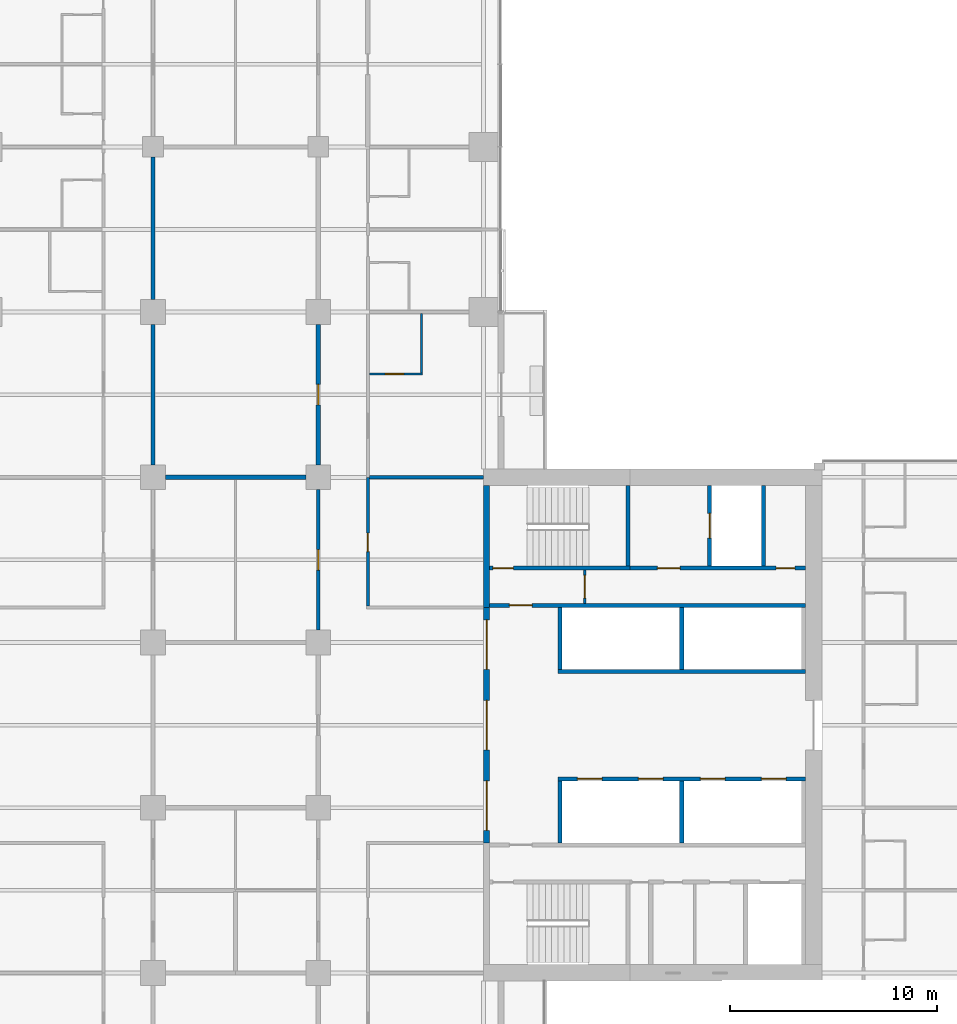
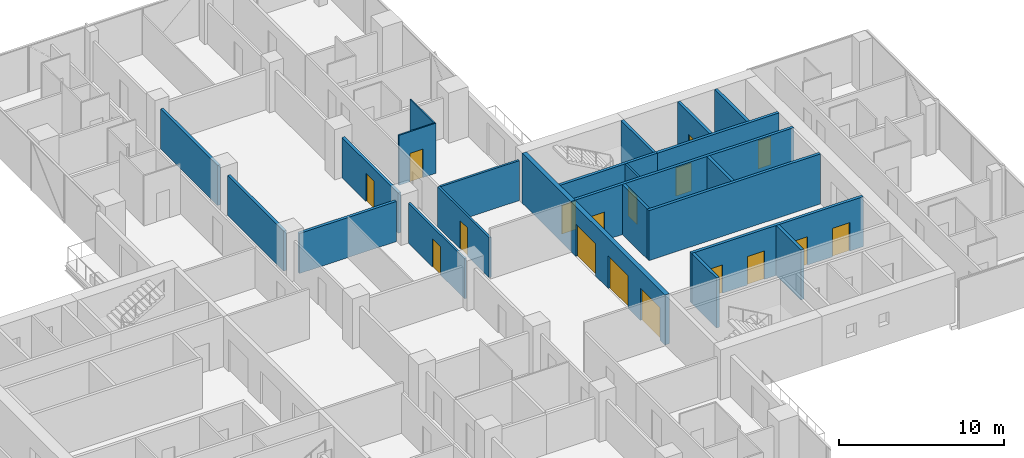
# One storey, part 20 of 27: 24 walls, 17 doors, 17 openings.
"""IFC4 building model written with IfcOpenShell, lengths in metres."""

import ifcopenshell
import ifcopenshell.guid

model = None  # the IFC model being written
_history = None  # IfcOwnerHistory: only IFC2X3 demands one
_inside = {}  # id of a spatial element -> (the spatial element, [elements in it])
_under = {}  # id of a project, library or spatial element -> (it, [spatial elements below it])
_declared = {}  # id of a project -> (the project, [libraries it declares])
_typed = {}  # id of a type object -> (the type object, [elements of that type])
_made_of = {}  # id of a material, layer set ... -> (it, [elements and type objects made of it])


def new_model(schema):
    """Start an empty IFC model of exactly this schema.

    Asked for "IFC4X3", IfcOpenShell would pick the latest addendum, in which some entities
    have other attributes; the version numbers below select the first issue.
    IFC2X3 requires an IfcOwnerHistory on every rooted entity: one is made here for all.
    """
    global model, _history
    if schema == "IFC4X3":
        model = ifcopenshell.file(schema_version=(4, 3, 0, 0))
    else:
        model = ifcopenshell.file(schema=schema)
    _inside.clear()
    _under.clear()
    _declared.clear()
    _typed.clear()
    _made_of.clear()
    _history = None
    if model.schema == "IFC2X3":
        org = make("IfcOrganization", Name="unknown")
        user = make(
            "IfcPersonAndOrganization",
            ThePerson=make("IfcPerson", FamilyName="unknown"),
            TheOrganization=org,
        )
        app = make(
            "IfcApplication",
            ApplicationDeveloper=org,
            Version="unknown",
            ApplicationFullName="unknown",
            ApplicationIdentifier="unknown",
        )
        _history = make(
            "IfcOwnerHistory",
            OwningUser=user,
            OwningApplication=app,
            ChangeAction="ADDED",
            CreationDate=0,
        )
    return model


def make(cls, **values):
    """One entity of the class cls with the attributes given. An attribute that is None is left unset."""
    return model.create_entity(
        cls, **{name: value for name, value in values.items() if value is not None}
    )


def rooted(cls, **values):
    """An entity with a GlobalId (a new one), such as an element, a storey or a relation."""
    return make(cls, GlobalId=ifcopenshell.guid.new(), OwnerHistory=_history, **values)


def si_unit(unit_type, name, prefix=None):
    """IfcSIUnit, for example si_unit("LENGTHUNIT", "METRE", prefix="MILLI")."""
    return make("IfcSIUnit", UnitType=unit_type, Prefix=prefix, Name=name)


def assignment(units):
    """IfcUnitAssignment: the units of a project."""
    return None if units is None else make("IfcUnitAssignment", Units=units)


def point(xyz):
    """IfcCartesianPoint."""
    return None if xyz is None else make("IfcCartesianPoint", Coordinates=xyz)


def direction(xyz):
    """IfcDirection."""
    return None if xyz is None else make("IfcDirection", DirectionRatios=xyz)


def frame(location, z_axis=None, x_axis=None):
    """IfcAxis2Placement3D, a coordinate frame: its origin and axes. An axis left out is left unset."""
    return make(
        "IfcAxis2Placement3D",
        Location=point(location),
        Axis=direction(z_axis),
        RefDirection=direction(x_axis),
    )


def frame_2d(location, x_axis=None):
    """IfcAxis2Placement2D, a coordinate frame in the plane: its origin and x axis."""
    return make(
        "IfcAxis2Placement2D", Location=point(location), RefDirection=direction(x_axis)
    )


def origin():
    """The frame at (0, 0, 0) with its axes left unset."""
    return frame((0.0, 0.0, 0.0))


def place(relative_to, where):
    """IfcLocalPlacement: puts the frame where relative to a parent placement (None: the world)."""
    return make(
        "IfcLocalPlacement", PlacementRelTo=relative_to, RelativePlacement=where
    )


def context(
    kind, dimensions, precision=None, world=None, true_north=None, identifier=None
):
    """IfcGeometricRepresentationContext, for example the 3D "Model" context."""
    return make(
        "IfcGeometricRepresentationContext",
        ContextIdentifier=identifier,
        ContextType=kind,
        CoordinateSpaceDimension=dimensions,
        Precision=precision,
        WorldCoordinateSystem=world,
        TrueNorth=true_north,
    )


def subcontext(parent, identifier, kind, view, scale=None):
    """IfcGeometricRepresentationSubContext, for example "Body" below "Model"."""
    return make(
        "IfcGeometricRepresentationSubContext",
        ContextIdentifier=identifier,
        ContextType=kind,
        ParentContext=parent,
        TargetScale=scale,
        TargetView=view,
    )


def project(units=None, contexts=None):
    """IfcProject with its units and contexts."""
    return rooted(
        "IfcProject",
        Name="project",
        RepresentationContexts=contexts,
        UnitsInContext=assignment(units),
    )


def spatial(cls, under=None, at=None, **own):
    """A site, building, storey or space (cls), placed at a placement, below another one or the project."""
    s = rooted(cls, ObjectPlacement=at, **own)
    if under is not None:
        _under.setdefault(under.id(), (under, []))[1].append(s)
    return s


def profile(cls, at=None, kind="AREA", **sizes):
    """A parametric profile (cls). Its sizes go by their IFC names, for example OverallWidth=200.0."""
    return make(cls, ProfileType=kind, Position=at, **sizes)


def rectangle(**sizes):
    """IfcRectangleProfileDef."""
    return profile("IfcRectangleProfileDef", **sizes)


def extrude(swept, where, along, depth):
    """IfcExtrudedAreaSolid: the profile swept, set in the frame where, extruded along a direction by depth."""
    return make(
        "IfcExtrudedAreaSolid",
        SweptArea=swept,
        Position=where,
        ExtrudedDirection=direction(along),
        Depth=depth,
    )


def shape(context_of_items, identifier, shape_type, items):
    """IfcShapeRepresentation: the items that make up one representation, for example the "Body"."""
    return make(
        "IfcShapeRepresentation",
        ContextOfItems=context_of_items,
        RepresentationIdentifier=identifier,
        RepresentationType=shape_type,
        Items=items,
    )


def material(Name=None, Category=None):
    """IfcMaterial."""
    return make("IfcMaterial", Name=Name, Category=Category)


def layer(
    of_material, thickness, ventilated=None, Name=None, Category=None, Priority=None
):
    """IfcMaterialLayer: one layer of a wall or slab, of a material (None: an air gap)."""
    return make(
        "IfcMaterialLayer",
        Material=of_material,
        LayerThickness=thickness,
        IsVentilated=ventilated,
        Name=Name,
        Category=Category,
        Priority=Priority,
    )


def layer_set(layers, Name=None):
    """IfcMaterialLayerSet."""
    return make("IfcMaterialLayerSet", MaterialLayers=layers, LayerSetName=Name)


def made_of(thing, what):
    """Note that an element or type object is made of a material, layer set ...; save() writes the relation."""
    if what is not None:
        _made_of.setdefault(what.id(), (what, []))[1].append(thing)
    return thing


def type_object(cls, material=None, **own):
    """A type object (cls), such as IfcWallType, which elements share."""
    return made_of(rooted(cls, **own), material)


def element(
    cls,
    number,
    at=None,
    inside=None,
    cuts=None,
    type_object=None,
    material=None,
    context=None,
    identifier="Body",
    shape_type=None,
    held_by="IfcProductDefinitionShape",
    body=None,
    shapes=None,
    **own,
):
    """One element of the class cls, such as IfcWall. Its Tag is "e" and its number.

    at: its placement. inside: the storey or other place that contains it. cuts: it is an
    opening in that element (IfcRelVoidsElement). A single representation is given by context,
    identifier, shape_type and body (its items); several are given by shapes. held_by: the class
    of the entity that holds the representations. save() writes the other relations.
    """
    e = rooted(cls, Tag="e%d" % number, ObjectPlacement=at, **own)
    if body is not None:
        shapes = [shape(context, identifier, shape_type, body)]
    if shapes is not None:
        e.Representation = make(held_by, Representations=shapes)
    if inside is not None:
        _inside.setdefault(inside.id(), (inside, []))[1].append(e)
    if cuts is not None:
        rooted(
            "IfcRelVoidsElement", RelatingBuildingElement=cuts, RelatedOpeningElement=e
        )
    if type_object is not None:
        _typed.setdefault(type_object.id(), (type_object, []))[1].append(e)
    return made_of(e, material)


def fill(opening, filler):
    """IfcRelFillsElement: the door or window that sits in an opening."""
    return rooted(
        "IfcRelFillsElement",
        RelatingOpeningElement=opening,
        RelatedBuildingElement=filler,
    )


def aggregate(whole, parts):
    """IfcRelAggregates: a whole, such as a stair, and the parts it consists of."""
    return rooted("IfcRelAggregates", RelatingObject=whole, RelatedObjects=parts)


def save(model, path):
    """Write the relations noted so far, then the file.

    IfcRelAggregates (storeys below a building ...), IfcRelContainedInSpatialStructure (elements
    in a storey), IfcRelDefinesByType, IfcRelAssociatesMaterial and IfcRelDeclares: one each for
    every whole, place, type object, material and project.
    """
    for whole, parts in _under.values():
        aggregate(whole, parts)
    for where, things in _inside.values():
        rooted(
            "IfcRelContainedInSpatialStructure",
            RelatedElements=things,
            RelatingStructure=where,
        )
    for kind, things in _typed.values():
        rooted("IfcRelDefinesByType", RelatedObjects=things, RelatingType=kind)
    for what, things in _made_of.values():
        rooted("IfcRelAssociatesMaterial", RelatedObjects=things, RelatingMaterial=what)
    for by, libraries in _declared.values():
        rooted("IfcRelDeclares", RelatingContext=by, RelatedDefinitions=libraries)
    model.write(path)


model = new_model("IFC4")

# Units and contexts
model_context = context("Model", 3, precision=1e-05, world=origin(), true_north=direction((0.0, 1.0)))
body_context = subcontext(model_context, "Body", "Model", "MODEL_VIEW")
ifc_project = project(units=[si_unit("LENGTHUNIT", "METRE"), si_unit("AREAUNIT", "SQUARE_METRE"), si_unit("VOLUMEUNIT", "CUBIC_METRE"), si_unit("PLANEANGLEUNIT", "RADIAN"), si_unit("MASSUNIT", "GRAM", prefix="KILO")], contexts=[model_context])

# Site, building, storey
site_placement = place(None, origin())
site = spatial("IfcSite", under=ifc_project, at=site_placement, CompositionType="ELEMENT")
building_placement = place(site_placement, origin())
building = spatial("IfcBuilding", under=site, at=building_placement, Name="Crosswind Convention Tower", CompositionType="ELEMENT")
storey_placement = place(building_placement, frame((0.0, 0.0, 64.60009765625)))
storey = spatial("IfcBuildingStorey", under=building, at=storey_placement, Name="L10", CompositionType="ELEMENT", Elevation=64.60009765625)

# Wall, opening, door
ifc_material_1 = material(Name="Plasterboard partition", Category="gypsum")
ifc_layer_1 = layer(ifc_material_1, 0.14990234375)
ifc_layer_set_1 = layer_set([ifc_layer_1], Name="CORRIDOR WALL 150")
wall_type_1 = type_object("IfcWallType", Name="CORRIDOR WALL 150", PredefinedType="PARTITIONING", material=ifc_layer_set_1)
wall_1_placement = place(storey_placement, frame((129.0, 104.60009765625, 0.0), z_axis=(0.0, 0.0, 1.0), x_axis=(0.0, 1.0, 0.0)))
wall_1 = element("IfcWall", 1, at=wall_1_placement, inside=storey, type_object=wall_type_1, Name="Corridor Wall 110", PredefinedType="PARTITIONING", context=body_context, shape_type="SweptSolid", body=[
    extrude(rectangle(XDim=6.7998046875, YDim=0.14990234375, at=frame_2d((3.39990234375, 0.0))), origin(), (0.0, 0.0, 1.0), 2.959716796875),
])
opening_1_placement = place(wall_1_placement, frame((2.89990234375, 0.0, 0.0)))
opening_1 = element("IfcOpeningElement", 2, at=opening_1_placement, cuts=wall_1, Name="Opening 10.066", PredefinedType="OPENING", context=body_context, shape_type="SweptSolid", body=[
    extrude(rectangle(XDim=1.0, YDim=2.10009765625, at=frame_2d((0.5, 1.050048828125))), frame((0.0, 0.0849609375, 0.0), z_axis=(0.0, -1.0, 0.0), x_axis=(1.0, 0.0, 0.0)), (0.0, 0.0, 1.0), 0.169921875),
])
ifc_material_2 = material(Name="Timber fire door", Category="wood")
door_type_1 = type_object("IfcDoorType", Name="SERVICE ROOM DOOR 1000X2100", OperationType="NOTDEFINED", PredefinedType="DOOR", material=ifc_material_2)
door_1_placement = place(opening_1_placement, origin())
door_1 = element("IfcDoor", 3, at=door_1_placement, inside=storey, type_object=door_type_1, Name="Door 10.066", ObjectType="D3", OperationType="SINGLE_SWING_RIGHT", OverallHeight=2.10009765625, OverallWidth=1.0, PredefinedType="DOOR", context=body_context, shape_type="SweptSolid", body=[
    extrude(rectangle(XDim=1.0, YDim=2.10009765625, at=frame_2d((0.5, 1.050048828125))), frame((0.0, 0.02490234375, 0.0), z_axis=(0.0, -1.0, 0.0), x_axis=(1.0, 0.0, 0.0)), (0.0, 0.0, 1.0), 0.050048828125),
])
fill(opening_1, door_1)

wall_2_placement = place(storey_placement, frame((131.39990234375, 105.77490234375, 0.0), z_axis=(0.0, 0.0, 1.0), x_axis=(0.0, 1.0, 0.0)))
wall_2 = element("IfcWall", 4, at=wall_2_placement, inside=storey, type_object=wall_type_1, Name="Corridor Wall 117", PredefinedType="PARTITIONING", context=body_context, shape_type="SweptSolid", body=[
    extrude(rectangle(XDim=6.22509765625, YDim=0.14990234375, at=frame_2d((3.112548828125, 0.0))), origin(), (0.0, 0.0, 1.0), 2.956298828125),
])
opening_2_placement = place(wall_2_placement, frame((2.625, 0.0, 0.0)))
opening_2 = element("IfcOpeningElement", 5, at=opening_2_placement, cuts=wall_2, Name="Opening 10.001", PredefinedType="OPENING", context=body_context, shape_type="SweptSolid", body=[
    extrude(rectangle(XDim=0.89990234375, YDim=2.10009765625, at=frame_2d((0.449951171875, 1.050048828125))), frame((0.0, 0.0849609375, 0.0), z_axis=(0.0, -1.0, 0.0), x_axis=(1.0, 0.0, 0.0)), (0.0, 0.0, 1.0), 0.169921875),
])
ifc_material_3 = material(Name="Timber door", Category="wood")
door_type_2 = type_object("IfcDoorType", Name="WC DOOR 900X2100", OperationType="NOTDEFINED", PredefinedType="DOOR", material=ifc_material_3)
door_2_placement = place(opening_2_placement, frame((0.89990234375, 0.0, 0.0), z_axis=(0.0, 0.0, 1.0), x_axis=(-1.0, 0.0, 0.0)))
door_2 = element("IfcDoor", 6, at=door_2_placement, inside=storey, type_object=door_type_2, Name="Door 10.001", ObjectType="D7", OperationType="SINGLE_SWING_LEFT", OverallHeight=2.10009765625, OverallWidth=0.89990234375, PredefinedType="DOOR", context=body_context, shape_type="SweptSolid", body=[
    extrude(rectangle(XDim=0.89990234375, YDim=2.10009765625, at=frame_2d((0.449951171875, 1.050048828125))), frame((0.0, 0.02490234375, 0.0), z_axis=(0.0, -1.0, 0.0), x_axis=(1.0, 0.0, 0.0)), (0.0, 0.0, 1.0), 0.050048828125),
])
fill(opening_2, door_2)

# Wall, openings, doors
ifc_material_4 = material(Name="Concrete C50/60", Category="concrete")
ifc_layer_2 = layer(ifc_material_4, 0.300048828125)
ifc_layer_set_2 = layer_set([ifc_layer_2], Name="Concrete C50/60")
wall_type_2 = type_object("IfcWallType", Name="Concrete inner core wall 300", PredefinedType="SHEAR", material=ifc_layer_set_2)
wall_3_placement = place(storey_placement, frame((137.14990234375, 94.300048828125, 0.0), z_axis=(0.0, 0.0, 1.0), x_axis=(0.0, 1.0, 0.0)))
wall_3 = element("IfcWall", 7, at=wall_3_placement, inside=storey, type_object=wall_type_2, Name="Wall SCR E L10", PredefinedType="SHEAR", context=body_context, shape_type="SweptSolid", body=[
    extrude(rectangle(XDim=11.39990234375, YDim=0.300048828125, at=frame_2d((5.699951171875, 0.0))), origin(), (0.0, 0.0, 1.0), 3.699951171875),
])
opening_3_placement = place(wall_3_placement, frame((0.60009765625, 0.0, 0.0)))
opening_3 = element("IfcOpeningElement", 8, at=opening_3_placement, cuts=wall_3, Name="Opening D100", PredefinedType="OPENING", context=body_context, shape_type="SweptSolid", body=[
    extrude(rectangle(XDim=2.39990234375, YDim=2.39990234375, at=frame_2d((1.199951171875, 1.199951171875))), frame((0.0, 0.159912109375, 0.0), z_axis=(0.0, -1.0, 0.0), x_axis=(1.0, 0.0, 0.0)), (0.0, 0.0, 1.0), 0.320068359375),
])
opening_4_placement = place(wall_3_placement, frame((4.5, 0.0, 0.0)))
opening_4 = element("IfcOpeningElement", 9, at=opening_4_placement, cuts=wall_3, Name="Opening D100", PredefinedType="OPENING", context=body_context, shape_type="SweptSolid", body=[
    extrude(rectangle(XDim=2.39990234375, YDim=2.39990234375, at=frame_2d((1.199951171875, 1.199951171875))), frame((0.0, 0.159912109375, 0.0), z_axis=(0.0, -1.0, 0.0), x_axis=(1.0, 0.0, 0.0)), (0.0, 0.0, 1.0), 0.320068359375),
])
opening_5_placement = place(wall_3_placement, frame((8.39990234375, 0.0, 0.0)))
opening_5 = element("IfcOpeningElement", 10, at=opening_5_placement, cuts=wall_3, Name="Opening D100", PredefinedType="OPENING", context=body_context, shape_type="SweptSolid", body=[
    extrude(rectangle(XDim=2.39990234375, YDim=2.39990234375, at=frame_2d((1.199951171875, 1.199951171875))), frame((0.0, 0.159912109375, 0.0), z_axis=(0.0, -1.0, 0.0), x_axis=(1.0, 0.0, 0.0)), (0.0, 0.0, 1.0), 0.320068359375),
])
ifc_material_5 = material(Name="Steel fire door with glazed vision panels", Category="steel")
door_type_3 = type_object("IfcDoorType", Name="Fire-rated double door 2400x2400", OperationType="DOUBLE_DOOR_SINGLE_SWING", PredefinedType="DOOR", material=ifc_material_5)
door_3_placement = place(opening_3_placement, origin())
door_3 = element("IfcDoor", 11, at=door_3_placement, inside=storey, type_object=door_type_3, Name="Lobby door 1 L10", ObjectType="D100", OperationType="DOUBLE_DOOR_SINGLE_SWING", OverallHeight=2.39990234375, OverallWidth=2.39990234375, PredefinedType="DOOR", context=body_context, shape_type="SweptSolid", body=[
    extrude(rectangle(XDim=2.39990234375, YDim=2.39990234375, at=frame_2d((1.199951171875, 1.199951171875))), frame((0.0, 0.02490234375, 0.0), z_axis=(0.0, -1.0, 0.0), x_axis=(1.0, 0.0, 0.0)), (0.0, 0.0, 1.0), 0.050048828125),
])
fill(opening_3, door_3)
door_4_placement = place(opening_4_placement, origin())
door_4 = element("IfcDoor", 12, at=door_4_placement, inside=storey, type_object=door_type_3, Name="Lobby door 2 L10", ObjectType="D100", OperationType="DOUBLE_DOOR_SINGLE_SWING", OverallHeight=2.39990234375, OverallWidth=2.39990234375, PredefinedType="DOOR", context=body_context, shape_type="SweptSolid", body=[
    extrude(rectangle(XDim=2.39990234375, YDim=2.39990234375, at=frame_2d((1.199951171875, 1.199951171875))), frame((0.0, 0.02490234375, 0.0), z_axis=(0.0, -1.0, 0.0), x_axis=(1.0, 0.0, 0.0)), (0.0, 0.0, 1.0), 0.050048828125),
])
fill(opening_4, door_4)
door_5_placement = place(opening_5_placement, origin())
door_5 = element("IfcDoor", 13, at=door_5_placement, inside=storey, type_object=door_type_3, Name="Lobby door 3 L10", ObjectType="D100", OperationType="DOUBLE_DOOR_SINGLE_SWING", OverallHeight=2.39990234375, OverallWidth=2.39990234375, PredefinedType="DOOR", context=body_context, shape_type="SweptSolid", body=[
    extrude(rectangle(XDim=2.39990234375, YDim=2.39990234375, at=frame_2d((1.199951171875, 1.199951171875))), frame((0.0, 0.02490234375, 0.0), z_axis=(0.0, -1.0, 0.0), x_axis=(1.0, 0.0, 0.0)), (0.0, 0.0, 1.0), 0.050048828125),
])
fill(opening_5, door_5)

# Walls
wall_4_placement = place(storey_placement, frame((137.14990234375, 105.699951171875, 0.0), z_axis=(0.0, 0.0, 1.0), x_axis=(0.0, 1.0, 0.0)))
element("IfcWall", 14, at=wall_4_placement, inside=storey, type_object=wall_type_2, Name="Wall EP E L10", PredefinedType="SHEAR", context=body_context, shape_type="SweptSolid", body=[
    extrude(rectangle(XDim=5.900146484375, YDim=0.300048828125, at=frame_2d((2.9501953125, 0.0))), origin(), (0.0, 0.0, 1.0), 3.699951171875),
])
ifc_layer_3 = layer(ifc_material_4, 0.199951171875)
ifc_layer_set_3 = layer_set([ifc_layer_3], Name="Concrete C50/60")
wall_type_3 = type_object("IfcWallType", Name="Concrete shaft and stair wall 200", PredefinedType="SHEAR", material=ifc_layer_set_3)
for number, where, z_axis, x_axis, name in (
    (15, (140.699951171875, 102.699951171875, 0.0), (0.0, 0.0, 1.0), (0.0, 1.0, 0.0), "Wall RPEND E L10"),
    (16, (146.60009765625, 102.699951171875, 0.0), (0.0, 0.0, 1.0), (0.0, 1.0, 0.0), "Wall RPSEP E L10"),
):
    element("IfcWall", number, at=place(storey_placement, frame(where, z_axis=z_axis, x_axis=x_axis)), inside=storey, type_object=wall_type_3, Name=name, PredefinedType="SHEAR", context=body_context, shape_type="SweptSolid", body=[
        extrude(rectangle(XDim=3.0, YDim=0.199951171875, at=frame_2d((1.5, 0.0))), origin(), (0.0, 0.0, 1.0), 3.699951171875),
    ])
wall_5_placement = place(storey_placement, frame((140.60009765625, 102.60009765625, 0.0), z_axis=(0.0, 0.0, 1.0), x_axis=(1.0, 0.0, 0.0)))
element("IfcWall", 17, at=wall_5_placement, inside=storey, type_object=wall_type_3, Name="Wall RPFRONT E L10", PredefinedType="SHEAR", context=body_context, shape_type="SweptSolid", body=[
    extrude(rectangle(XDim=12.0, YDim=0.199951171875, at=frame_2d((6.0, 0.0))), origin(), (0.0, 0.0, 1.0), 3.699951171875),
])
for number, where, z_axis, x_axis, name in (
    (18, (140.699951171875, 94.300048828125, 0.0), (0.0, 0.0, 1.0), (0.0, 1.0, 0.0), "Wall RMEND E L10"),
    (19, (146.60009765625, 94.300048828125, 0.0), (0.0, 0.0, 1.0), (0.0, 1.0, 0.0), "Wall RMSEP E L10"),
):
    element("IfcWall", number, at=place(storey_placement, frame(where, z_axis=z_axis, x_axis=x_axis)), inside=storey, type_object=wall_type_3, Name=name, PredefinedType="SHEAR", context=body_context, shape_type="SweptSolid", body=[
        extrude(rectangle(XDim=3.0, YDim=0.199951171875, at=frame_2d((1.5, 0.0))), origin(), (0.0, 0.0, 1.0), 3.699951171875),
    ])

# Wall, openings, doors
wall_6_placement = place(storey_placement, frame((140.60009765625, 97.39990234375, 0.0), z_axis=(0.0, 0.0, 1.0), x_axis=(1.0, 0.0, 0.0)))
wall_6 = element("IfcWall", 20, at=wall_6_placement, inside=storey, type_object=wall_type_3, Name="Wall RMFRONT E L10", PredefinedType="SHEAR", context=body_context, shape_type="SweptSolid", body=[
    extrude(rectangle(XDim=12.0, YDim=0.199951171875, at=frame_2d((6.0, 0.0))), origin(), (0.0, 0.0, 1.0), 3.699951171875),
])
opening_6_placement = place(wall_6_placement, frame((0.949951171875, 0.0, 0.0)))
opening_6 = element("IfcOpeningElement", 21, at=opening_6_placement, cuts=wall_6, Name="Opening LD1", PredefinedType="OPENING", context=body_context, shape_type="SweptSolid", body=[
    extrude(rectangle(XDim=1.199951171875, YDim=2.10009765625, at=frame_2d((0.60009765625, 1.050048828125))), frame((0.0, 0.10986328125, 0.0), z_axis=(0.0, -1.0, 0.0), x_axis=(1.0, 0.0, 0.0)), (0.0, 0.0, 1.0), 0.219970703125),
])
opening_7_placement = place(wall_6_placement, frame((3.89990234375, 0.0, 0.0)))
opening_7 = element("IfcOpeningElement", 22, at=opening_7_placement, cuts=wall_6, Name="Opening LD1", PredefinedType="OPENING", context=body_context, shape_type="SweptSolid", body=[
    extrude(rectangle(XDim=1.199951171875, YDim=2.10009765625, at=frame_2d((0.60009765625, 1.050048828125))), frame((0.0, 0.10986328125, 0.0), z_axis=(0.0, -1.0, 0.0), x_axis=(1.0, 0.0, 0.0)), (0.0, 0.0, 1.0), 0.219970703125),
])
opening_8_placement = place(wall_6_placement, frame((6.89990234375, 0.0, 0.0)))
opening_8 = element("IfcOpeningElement", 23, at=opening_8_placement, cuts=wall_6, Name="Opening LD1", PredefinedType="OPENING", context=body_context, shape_type="SweptSolid", body=[
    extrude(rectangle(XDim=1.199951171875, YDim=2.10009765625, at=frame_2d((0.60009765625, 1.050048828125))), frame((0.0, 0.10986328125, 0.0), z_axis=(0.0, -1.0, 0.0), x_axis=(1.0, 0.0, 0.0)), (0.0, 0.0, 1.0), 0.219970703125),
])
opening_9_placement = place(wall_6_placement, frame((9.85009765625, 0.0, 0.0)))
opening_9 = element("IfcOpeningElement", 24, at=opening_9_placement, cuts=wall_6, Name="Opening LD1", PredefinedType="OPENING", context=body_context, shape_type="SweptSolid", body=[
    extrude(rectangle(XDim=1.199951171875, YDim=2.10009765625, at=frame_2d((0.60009765625, 1.050048828125))), frame((0.0, 0.10986328125, 0.0), z_axis=(0.0, -1.0, 0.0), x_axis=(1.0, 0.0, 0.0)), (0.0, 0.0, 1.0), 0.219970703125),
])
ifc_material_6 = material(Name="Stainless steel", Category="steel")
door_type_4 = type_object("IfcDoorType", Name="Lift landing door 1200x2100", OperationType="DOUBLE_DOOR_SLIDING", PredefinedType="DOOR", material=ifc_material_6)
door_6_placement = place(opening_6_placement, origin())
door_6 = element("IfcDoor", 25, at=door_6_placement, inside=storey, type_object=door_type_4, Name="Landing door H1 L10", ObjectType="LD1", OperationType="DOUBLE_DOOR_SLIDING", OverallHeight=2.10009765625, OverallWidth=1.199951171875, PredefinedType="DOOR", context=body_context, shape_type="SweptSolid", body=[
    extrude(rectangle(XDim=1.199951171875, YDim=2.10009765625, at=frame_2d((0.60009765625, 1.050048828125))), frame((0.0, 0.02490234375, 0.0), z_axis=(0.0, -1.0, 0.0), x_axis=(1.0, 0.0, 0.0)), (0.0, 0.0, 1.0), 0.050048828125),
])
fill(opening_6, door_6)
door_7_placement = place(opening_7_placement, origin())
door_7 = element("IfcDoor", 26, at=door_7_placement, inside=storey, type_object=door_type_4, Name="Landing door H2 L10", ObjectType="LD1", OperationType="DOUBLE_DOOR_SLIDING", OverallHeight=2.10009765625, OverallWidth=1.199951171875, PredefinedType="DOOR", context=body_context, shape_type="SweptSolid", body=[
    extrude(rectangle(XDim=1.199951171875, YDim=2.10009765625, at=frame_2d((0.60009765625, 1.050048828125))), frame((0.0, 0.02490234375, 0.0), z_axis=(0.0, -1.0, 0.0), x_axis=(1.0, 0.0, 0.0)), (0.0, 0.0, 1.0), 0.050048828125),
])
fill(opening_7, door_7)
door_8_placement = place(opening_8_placement, origin())
door_8 = element("IfcDoor", 27, at=door_8_placement, inside=storey, type_object=door_type_4, Name="Landing door H3 L10", ObjectType="LD1", OperationType="DOUBLE_DOOR_SLIDING", OverallHeight=2.10009765625, OverallWidth=1.199951171875, PredefinedType="DOOR", context=body_context, shape_type="SweptSolid", body=[
    extrude(rectangle(XDim=1.199951171875, YDim=2.10009765625, at=frame_2d((0.60009765625, 1.050048828125))), frame((0.0, 0.02490234375, 0.0), z_axis=(0.0, -1.0, 0.0), x_axis=(1.0, 0.0, 0.0)), (0.0, 0.0, 1.0), 0.050048828125),
])
fill(opening_8, door_8)
door_9_placement = place(opening_9_placement, origin())
door_9 = element("IfcDoor", 28, at=door_9_placement, inside=storey, type_object=door_type_4, Name="Landing door H4 L10", ObjectType="LD1", OperationType="DOUBLE_DOOR_SLIDING", OverallHeight=2.10009765625, OverallWidth=1.199951171875, PredefinedType="DOOR", context=body_context, shape_type="SweptSolid", body=[
    extrude(rectangle(XDim=1.199951171875, YDim=2.10009765625, at=frame_2d((0.60009765625, 1.050048828125))), frame((0.0, 0.02490234375, 0.0), z_axis=(0.0, -1.0, 0.0), x_axis=(1.0, 0.0, 0.0)), (0.0, 0.0, 1.0), 0.050048828125),
])
fill(opening_9, door_9)

# Wall, opening, door
wall_7_placement = place(storey_placement, frame((137.300048828125, 105.800048828125, 0.0), z_axis=(0.0, 0.0, 1.0), x_axis=(1.0, 0.0, 0.0)))
wall_7 = element("IfcWall", 29, at=wall_7_placement, inside=storey, type_object=wall_type_3, Name="Wall HP E L10", PredefinedType="SHEAR", context=body_context, shape_type="SweptSolid", body=[
    extrude(rectangle(XDim=15.300048828125, YDim=0.199951171875, at=frame_2d((7.64990234375, 0.0))), origin(), (0.0, 0.0, 1.0), 3.699951171875),
])
opening_10_placement = place(wall_7_placement, frame((0.949951171875, 0.0, 0.0)))
opening_10 = element("IfcOpeningElement", 30, at=opening_10_placement, cuts=wall_7, Name="Opening D104", PredefinedType="OPENING", context=body_context, shape_type="SweptSolid", body=[
    extrude(rectangle(XDim=1.10009765625, YDim=2.10009765625, at=frame_2d((0.550048828125, 1.050048828125))), frame((0.0, 0.10986328125, 0.0), z_axis=(0.0, -1.0, 0.0), x_axis=(1.0, 0.0, 0.0)), (0.0, 0.0, 1.0), 0.219970703125),
])
ifc_material_7 = material(Name="Steel fire door", Category="steel")
door_type_5 = type_object("IfcDoorType", Name="Fire-rated single door 1100x2100", OperationType="NOTDEFINED", PredefinedType="DOOR", material=ifc_material_7)
door_10_placement = place(opening_10_placement, origin())
door_10 = element("IfcDoor", 31, at=door_10_placement, inside=storey, type_object=door_type_5, Name="Corridor door L10", ObjectType="D104", OperationType="SINGLE_SWING_LEFT", OverallHeight=2.10009765625, OverallWidth=1.10009765625, PredefinedType="DOOR", context=body_context, shape_type="SweptSolid", body=[
    extrude(rectangle(XDim=1.10009765625, YDim=2.10009765625, at=frame_2d((0.550048828125, 1.050048828125))), frame((0.0, 0.02490234375, 0.0), z_axis=(0.0, -1.0, 0.0), x_axis=(1.0, 0.0, 0.0)), (0.0, 0.0, 1.0), 0.050048828125),
])
fill(opening_10, door_10)

# Wall
wall_8_placement = place(storey_placement, frame((144.0, 107.699951171875, 0.0), z_axis=(0.0, 0.0, 1.0), x_axis=(0.0, 1.0, 0.0)))
element("IfcWall", 32, at=wall_8_placement, inside=storey, type_object=wall_type_3, Name="Wall PSE E L10", PredefinedType="SHEAR", context=body_context, shape_type="SweptSolid", body=[
    extrude(rectangle(XDim=3.900146484375, YDim=0.199951171875, at=frame_2d((1.9501953125, 0.0))), origin(), (0.0, 0.0, 1.0), 3.699951171875),
])

# Wall, opening, door
wall_9_placement = place(storey_placement, frame((147.949951171875, 107.699951171875, 0.0), z_axis=(0.0, 0.0, 1.0), x_axis=(0.0, 1.0, 0.0)))
wall_9 = element("IfcWall", 33, at=wall_9_placement, inside=storey, type_object=wall_type_3, Name="Wall PFLW E L10", PredefinedType="SHEAR", context=body_context, shape_type="SweptSolid", body=[
    extrude(rectangle(XDim=3.900146484375, YDim=0.199951171875, at=frame_2d((1.9501953125, 0.0))), origin(), (0.0, 0.0, 1.0), 3.699951171875),
])
opening_11_placement = place(wall_9_placement, frame((1.35009765625, 0.0, 0.0)))
opening_11 = element("IfcOpeningElement", 34, at=opening_11_placement, cuts=wall_9, Name="Opening LD1", PredefinedType="OPENING", context=body_context, shape_type="SweptSolid", body=[
    extrude(rectangle(XDim=1.199951171875, YDim=2.10009765625, at=frame_2d((0.60009765625, 1.050048828125))), frame((0.0, 0.10986328125, 0.0), z_axis=(0.0, -1.0, 0.0), x_axis=(1.0, 0.0, 0.0)), (0.0, 0.0, 1.0), 0.219970703125),
])
door_11_placement = place(opening_11_placement, origin())
door_11 = element("IfcDoor", 35, at=door_11_placement, inside=storey, type_object=door_type_4, Name="Landing door FF1 L10", ObjectType="LD1", OperationType="DOUBLE_DOOR_SLIDING", OverallHeight=2.10009765625, OverallWidth=1.199951171875, PredefinedType="DOOR", context=body_context, shape_type="SweptSolid", body=[
    extrude(rectangle(XDim=1.199951171875, YDim=2.10009765625, at=frame_2d((0.60009765625, 1.050048828125))), frame((0.0, 0.02490234375, 0.0), z_axis=(0.0, -1.0, 0.0), x_axis=(1.0, 0.0, 0.0)), (0.0, 0.0, 1.0), 0.050048828125),
])
fill(opening_11, door_11)

# Wall
wall_10_placement = place(storey_placement, frame((150.550048828125, 107.699951171875, 0.0), z_axis=(0.0, 0.0, 1.0), x_axis=(0.0, 1.0, 0.0)))
element("IfcWall", 36, at=wall_10_placement, inside=storey, type_object=wall_type_3, Name="Wall PFSE E L10", PredefinedType="SHEAR", context=body_context, shape_type="SweptSolid", body=[
    extrude(rectangle(XDim=3.900146484375, YDim=0.199951171875, at=frame_2d((1.9501953125, 0.0))), origin(), (0.0, 0.0, 1.0), 3.699951171875),
])

# Wall, opening, door
wall_11_placement = place(storey_placement, frame((137.300048828125, 107.60009765625, 0.0), z_axis=(0.0, 0.0, 1.0), x_axis=(1.0, 0.0, 0.0)))
wall_11 = element("IfcWall", 37, at=wall_11_placement, inside=storey, type_object=wall_type_3, Name="Wall PCW E L10", PredefinedType="SHEAR", context=body_context, shape_type="SweptSolid", body=[
    extrude(rectangle(XDim=6.800048828125, YDim=0.199951171875, at=frame_2d((3.39990234375, 0.0))), origin(), (0.0, 0.0, 1.0), 3.699951171875),
])
opening_12_placement = place(wall_11_placement, frame((0.14990234375, 0.0, 0.0)))
opening_12 = element("IfcOpeningElement", 38, at=opening_12_placement, cuts=wall_11, Name="Opening D103", PredefinedType="OPENING", context=body_context, shape_type="SweptSolid", body=[
    extrude(rectangle(XDim=1.0, YDim=2.10009765625, at=frame_2d((0.5, 1.050048828125))), frame((0.0, 0.10986328125, 0.0), z_axis=(0.0, -1.0, 0.0), x_axis=(1.0, 0.0, 0.0)), (0.0, 0.0, 1.0), 0.219970703125),
])
door_type_6 = type_object("IfcDoorType", Name="Fire-rated single door 1000x2100", OperationType="NOTDEFINED", PredefinedType="DOOR", material=ifc_material_7)
door_12_placement = place(opening_12_placement, origin())
door_12 = element("IfcDoor", 39, at=door_12_placement, inside=storey, type_object=door_type_6, Name="Stair ST1 door L10", ObjectType="D103", OperationType="SINGLE_SWING_LEFT", OverallHeight=2.10009765625, OverallWidth=1.0, PredefinedType="DOOR", context=body_context, shape_type="SweptSolid", body=[
    extrude(rectangle(XDim=1.0, YDim=2.10009765625, at=frame_2d((0.5, 1.050048828125))), frame((0.0, 0.02490234375, 0.0), z_axis=(0.0, -1.0, 0.0), x_axis=(1.0, 0.0, 0.0)), (0.0, 0.0, 1.0), 0.050048828125),
])
fill(opening_12, door_12)

# Wall, openings, doors
wall_12_placement = place(storey_placement, frame((144.10009765625, 107.60009765625, 0.0), z_axis=(0.0, 0.0, 1.0), x_axis=(1.0, 0.0, 0.0)))
wall_12 = element("IfcWall", 40, at=wall_12_placement, inside=storey, type_object=wall_type_3, Name="Wall PCX E L10", PredefinedType="SHEAR", context=body_context, shape_type="SweptSolid", body=[
    extrude(rectangle(XDim=8.5, YDim=0.199951171875, at=frame_2d((4.25, 0.0))), origin(), (0.0, 0.0, 1.0), 3.699951171875),
])
opening_13_placement = place(wall_12_placement, frame((1.324951171875, 0.0, 0.0)))
opening_13 = element("IfcOpeningElement", 41, at=opening_13_placement, cuts=wall_12, Name="Opening D104", PredefinedType="OPENING", context=body_context, shape_type="SweptSolid", body=[
    extrude(rectangle(XDim=1.10009765625, YDim=2.10009765625, at=frame_2d((0.550048828125, 1.050048828125))), frame((0.0, 0.10986328125, 0.0), z_axis=(0.0, -1.0, 0.0), x_axis=(1.0, 0.0, 0.0)), (0.0, 0.0, 1.0), 0.219970703125),
])
opening_14_placement = place(wall_12_placement, frame((7.074951171875, 0.0, 0.0)))
opening_14 = element("IfcOpeningElement", 42, at=opening_14_placement, cuts=wall_12, Name="Opening D106", PredefinedType="OPENING", context=body_context, shape_type="SweptSolid", body=[
    extrude(rectangle(XDim=0.89990234375, YDim=2.10009765625, at=frame_2d((0.449951171875, 1.050048828125))), frame((0.0, 0.10986328125, 0.0), z_axis=(0.0, -1.0, 0.0), x_axis=(1.0, 0.0, 0.0)), (0.0, 0.0, 1.0), 0.219970703125),
])
door_13_placement = place(opening_13_placement, origin())
door_13 = element("IfcDoor", 43, at=door_13_placement, inside=storey, type_object=door_type_5, Name="Fire-fighting lobby FF1 door L10", ObjectType="D104", OperationType="SINGLE_SWING_RIGHT", OverallHeight=2.10009765625, OverallWidth=1.10009765625, PredefinedType="DOOR", context=body_context, shape_type="SweptSolid", body=[
    extrude(rectangle(XDim=1.10009765625, YDim=2.10009765625, at=frame_2d((0.550048828125, 1.050048828125))), frame((0.0, 0.02490234375, 0.0), z_axis=(0.0, -1.0, 0.0), x_axis=(1.0, 0.0, 0.0)), (0.0, 0.0, 1.0), 0.050048828125),
])
fill(opening_13, door_13)
door_type_7 = type_object("IfcDoorType", Name="Single leaf door 900x2100", OperationType="NOTDEFINED", PredefinedType="DOOR", material=ifc_material_3)
door_14_placement = place(opening_14_placement, origin())
door_14 = element("IfcDoor", 44, at=door_14_placement, inside=storey, type_object=door_type_7, Name="Door to cleaners' store L10", ObjectType="D106", OperationType="SINGLE_SWING_RIGHT", OverallHeight=2.10009765625, OverallWidth=0.89990234375, PredefinedType="DOOR", context=body_context, shape_type="SweptSolid", body=[
    extrude(rectangle(XDim=0.89990234375, YDim=2.10009765625, at=frame_2d((0.449951171875, 1.050048828125))), frame((0.0, 0.02490234375, 0.0), z_axis=(0.0, -1.0, 0.0), x_axis=(1.0, 0.0, 0.0)), (0.0, 0.0, 1.0), 0.050048828125),
])
fill(opening_14, door_14)

# Wall, opening, door
ifc_material_8 = material(Name="Gypsum plasterboard partition", Category="gypsum")
ifc_layer_4 = layer(ifc_material_8, 0.125)
ifc_layer_set_4 = layer_set([ifc_layer_4], Name="Drywall partition wall 125")
wall_type_4 = type_object("IfcWallType", Name="Drywall partition wall 125", PredefinedType="PARTITIONING", material=ifc_layer_set_4)
wall_13_placement = place(storey_placement, frame((141.89990234375, 105.89990234375, 0.0), z_axis=(0.0, 0.0, 1.0), x_axis=(0.0, 1.0, 0.0)))
wall_13 = element("IfcWall", 45, at=wall_13_placement, inside=storey, type_object=wall_type_4, Name="Wall PXC1 E L10", PredefinedType="PARTITIONING", context=body_context, shape_type="SweptSolid", body=[
    extrude(rectangle(XDim=1.60009765625, YDim=0.125, at=frame_2d((0.800048828125, 0.0))), origin(), (0.0, 0.0, 1.0), 3.699951171875),
])
opening_15_placement = place(wall_13_placement, frame((0.25, 0.0, 0.0)))
opening_15 = element("IfcOpeningElement", 46, at=opening_15_placement, cuts=wall_13, Name="Opening D104", PredefinedType="OPENING", context=body_context, shape_type="SweptSolid", body=[
    extrude(rectangle(XDim=1.10009765625, YDim=2.10009765625, at=frame_2d((0.550048828125, 1.050048828125))), frame((0.0, 0.072509765625, 0.0), z_axis=(0.0, -1.0, 0.0), x_axis=(1.0, 0.0, 0.0)), (0.0, 0.0, 1.0), 0.14501953125),
])
door_15_placement = place(opening_15_placement, origin())
door_15 = element("IfcDoor", 47, at=door_15_placement, inside=storey, type_object=door_type_5, Name="Corridor smoke door L10", ObjectType="D104", OperationType="SINGLE_SWING_RIGHT", OverallHeight=2.10009765625, OverallWidth=1.10009765625, PredefinedType="DOOR", context=body_context, shape_type="SweptSolid", body=[
    extrude(rectangle(XDim=1.10009765625, YDim=2.10009765625, at=frame_2d((0.550048828125, 1.050048828125))), frame((0.0, 0.02490234375, 0.0), z_axis=(0.0, -1.0, 0.0), x_axis=(1.0, 0.0, 0.0)), (0.0, 0.0, 1.0), 0.050048828125),
])
fill(opening_15, door_15)

# Walls
ifc_material_9 = material(Name="Acoustic plasterboard partition", Category="gypsum")
ifc_layer_5 = layer(ifc_material_9, 0.14990234375)
ifc_layer_set_5 = layer_set([ifc_layer_5], Name="GUEST ROOM WALL 150")
wall_type_5 = type_object("IfcWallType", Name="GUEST ROOM WALL 150", PredefinedType="PARTITIONING", material=ifc_layer_set_5)
wall_14_placement = place(storey_placement, frame((131.47509765625, 112.0, 0.0), z_axis=(0.0, 0.0, 1.0), x_axis=(1.0, 0.0, 0.0)))
element("IfcWall", 48, at=wall_14_placement, inside=storey, type_object=wall_type_5, Name="Guest Room Wall 53", PredefinedType="PARTITIONING", context=body_context, shape_type="SweptSolid", body=[
    extrude(rectangle(XDim=5.52490234375, YDim=0.14990234375, at=frame_2d((2.762451171875, 0.0))), origin(), (0.0, 0.0, 1.0), 2.956298828125),
])
ifc_material_10 = material(Name="Double plasterboard partition", Category="gypsum")
ifc_layer_6 = layer(ifc_material_10, 0.199951171875)
ifc_layer_set_6 = layer_set([ifc_layer_6], Name="HALL WALL 200")
wall_type_6 = type_object("IfcWallType", Name="HALL WALL 200", PredefinedType="PARTITIONING", material=ifc_layer_set_6)
for number, where, z_axis, x_axis, name in (
    (49, (121.60009765625, 112.0, 0.0), (0.0, 0.0, 1.0), (1.0, 0.0, 0.0), "Hall Wall 52"),
    (50, (121.0, 112.60009765625, 0.0), (0.0, 0.0, 1.0), (0.0, 1.0, 0.0), "Hall Wall 95"),
):
    element("IfcWall", number, at=place(storey_placement, frame(where, z_axis=z_axis, x_axis=x_axis)), inside=storey, type_object=wall_type_6, Name=name, PredefinedType="PARTITIONING", context=body_context, shape_type="SweptSolid", body=[
        extrude(rectangle(XDim=6.7998046875, YDim=0.199951171875, at=frame_2d((3.39990234375, 0.0))), origin(), (0.0, 0.0, 1.0), 2.959716796875),
    ])
wall_15_placement = place(storey_placement, frame((121.0, 120.60009765625, 0.0), z_axis=(0.0, 0.0, 1.0), x_axis=(0.0, 1.0, 0.0)))
element("IfcWall", 51, at=wall_15_placement, inside=storey, type_object=wall_type_6, Name="Hall Wall 96", PredefinedType="PARTITIONING", context=body_context, shape_type="SweptSolid", body=[
    extrude(rectangle(XDim=6.89990234375, YDim=0.199951171875, at=frame_2d((3.449951171875, 0.0))), origin(), (0.0, 0.0, 1.0), 2.959716796875),
])

# Wall, opening, door
wall_16_placement = place(storey_placement, frame((129.0, 112.60009765625, 0.0), z_axis=(0.0, 0.0, 1.0), x_axis=(0.0, 1.0, 0.0)))
wall_16 = element("IfcWall", 52, at=wall_16_placement, inside=storey, type_object=wall_type_6, Name="Hall Wall 111", PredefinedType="PARTITIONING", context=body_context, shape_type="SweptSolid", body=[
    extrude(rectangle(XDim=6.7998046875, YDim=0.199951171875, at=frame_2d((3.39990234375, 0.0))), origin(), (0.0, 0.0, 1.0), 2.959716796875),
])
opening_16_placement = place(wall_16_placement, frame((2.89990234375, 0.0, 0.0)))
opening_16 = element("IfcOpeningElement", 53, at=opening_16_placement, cuts=wall_16, Name="Opening 10.067", PredefinedType="OPENING", context=body_context, shape_type="SweptSolid", body=[
    extrude(rectangle(XDim=1.0, YDim=2.10009765625, at=frame_2d((0.5, 1.050048828125))), frame((0.0, 0.10986328125, 0.0), z_axis=(0.0, -1.0, 0.0), x_axis=(1.0, 0.0, 0.0)), (0.0, 0.0, 1.0), 0.219970703125),
])
door_type_8 = type_object("IfcDoorType", Name="MEETING ROOM DOOR 1000X2100", OperationType="NOTDEFINED", PredefinedType="DOOR", material=ifc_material_2)
door_16_placement = place(opening_16_placement, frame((1.0, 0.0, 0.0), z_axis=(0.0, 0.0, 1.0), x_axis=(-1.0, 0.0, 0.0)))
door_16 = element("IfcDoor", 54, at=door_16_placement, inside=storey, type_object=door_type_8, Name="Door 10.067", ObjectType="D13", OperationType="SINGLE_SWING_LEFT", OverallHeight=2.10009765625, OverallWidth=1.0, PredefinedType="DOOR", context=body_context, shape_type="SweptSolid", body=[
    extrude(rectangle(XDim=1.0, YDim=2.10009765625, at=frame_2d((0.5, 1.050048828125))), frame((0.0, 0.02490234375, 0.0), z_axis=(0.0, -1.0, 0.0), x_axis=(1.0, 0.0, 0.0)), (0.0, 0.0, 1.0), 0.050048828125),
])
fill(opening_16, door_16)

ifc_material_11 = material(Name="Water-resistant plasterboard partition", Category="gypsum")
ifc_layer_7 = layer(ifc_material_11, 0.10009765625)
ifc_layer_set_7 = layer_set([ifc_layer_7], Name="WET ROOM PARTITION 100")
wall_type_7 = type_object("IfcWallType", Name="WET ROOM PARTITION 100", PredefinedType="PLUMBINGWALL", material=ifc_layer_set_7)
wall_17_placement = place(storey_placement, frame((131.47509765625, 117.0, 0.0), z_axis=(0.0, 0.0, 1.0), x_axis=(1.0, 0.0, 0.0)))
wall_17 = element("IfcWall", 55, at=wall_17_placement, inside=storey, type_object=wall_type_7, Name="Wet Room Partition 54", PredefinedType="PLUMBINGWALL", context=body_context, shape_type="SweptSolid", body=[
    extrude(rectangle(XDim=2.574951171875, YDim=0.10009765625, at=frame_2d((1.28759765625, 0.0))), origin(), (0.0, 0.0, 1.0), 3.699951171875),
])
opening_17_placement = place(wall_17_placement, frame((0.77490234375, 0.0, 0.0)))
opening_17 = element("IfcOpeningElement", 56, at=opening_17_placement, cuts=wall_17, Name="Opening 10.006", PredefinedType="OPENING", context=body_context, shape_type="SweptSolid", body=[
    extrude(rectangle(XDim=0.89990234375, YDim=2.10009765625, at=frame_2d((0.449951171875, 1.050048828125))), frame((0.0, 0.06005859375, 0.0), z_axis=(0.0, -1.0, 0.0), x_axis=(1.0, 0.0, 0.0)), (0.0, 0.0, 1.0), 0.1201171875),
])
door_type_9 = type_object("IfcDoorType", Name="EN-SUITE DOOR 900X2100", OperationType="NOTDEFINED", PredefinedType="DOOR", material=ifc_material_3)
door_17_placement = place(opening_17_placement, origin())
door_17 = element("IfcDoor", 57, at=door_17_placement, inside=storey, type_object=door_type_9, Name="Door 10.006", ObjectType="D2", OperationType="SINGLE_SWING_RIGHT", OverallHeight=2.10009765625, OverallWidth=0.89990234375, PredefinedType="DOOR", context=body_context, shape_type="SweptSolid", body=[
    extrude(rectangle(XDim=0.89990234375, YDim=2.10009765625, at=frame_2d((0.449951171875, 1.050048828125))), frame((0.0, 0.02490234375, 0.0), z_axis=(0.0, -1.0, 0.0), x_axis=(1.0, 0.0, 0.0)), (0.0, 0.0, 1.0), 0.050048828125),
])
fill(opening_17, door_17)

# Wall
wall_18_placement = place(storey_placement, frame((134.0, 117.050048828125, 0.0), z_axis=(0.0, 0.0, 1.0), x_axis=(0.0, 1.0, 0.0)))
element("IfcWall", 58, at=wall_18_placement, inside=storey, type_object=wall_type_7, Name="Wet Room Partition 126", PredefinedType="PLUMBINGWALL", context=body_context, shape_type="SweptSolid", body=[
    extrude(rectangle(XDim=2.875, YDim=0.10009765625, at=frame_2d((1.4375, 0.0))), origin(), (0.0, 0.0, 1.0), 3.699951171875),
])

save(model, "model.ifc")
